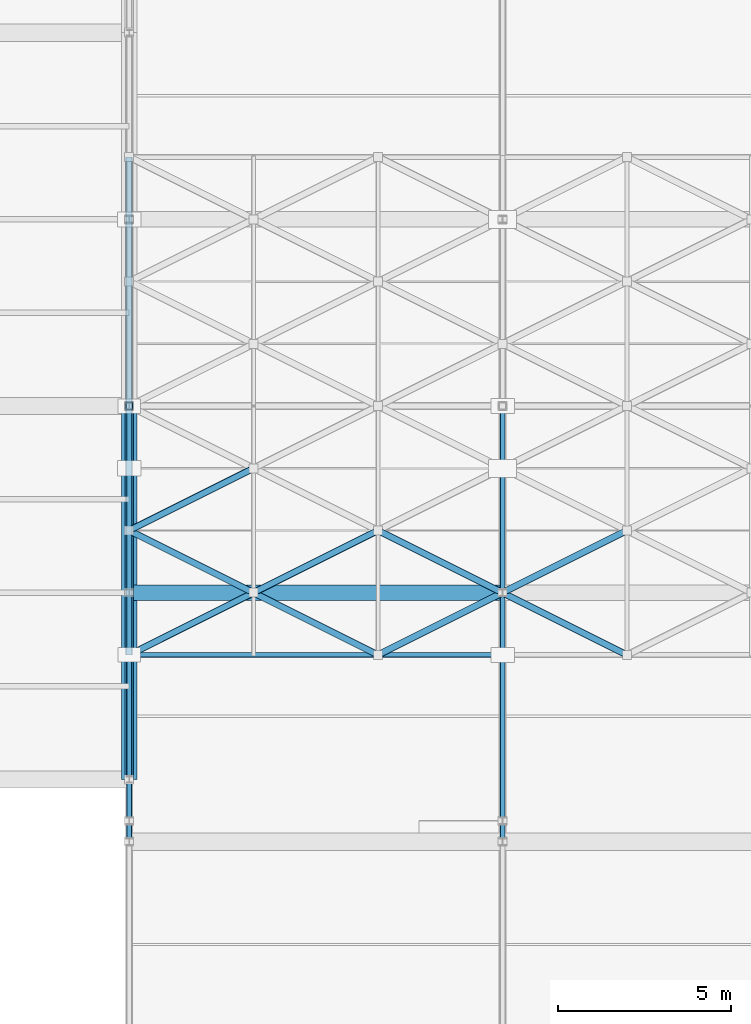
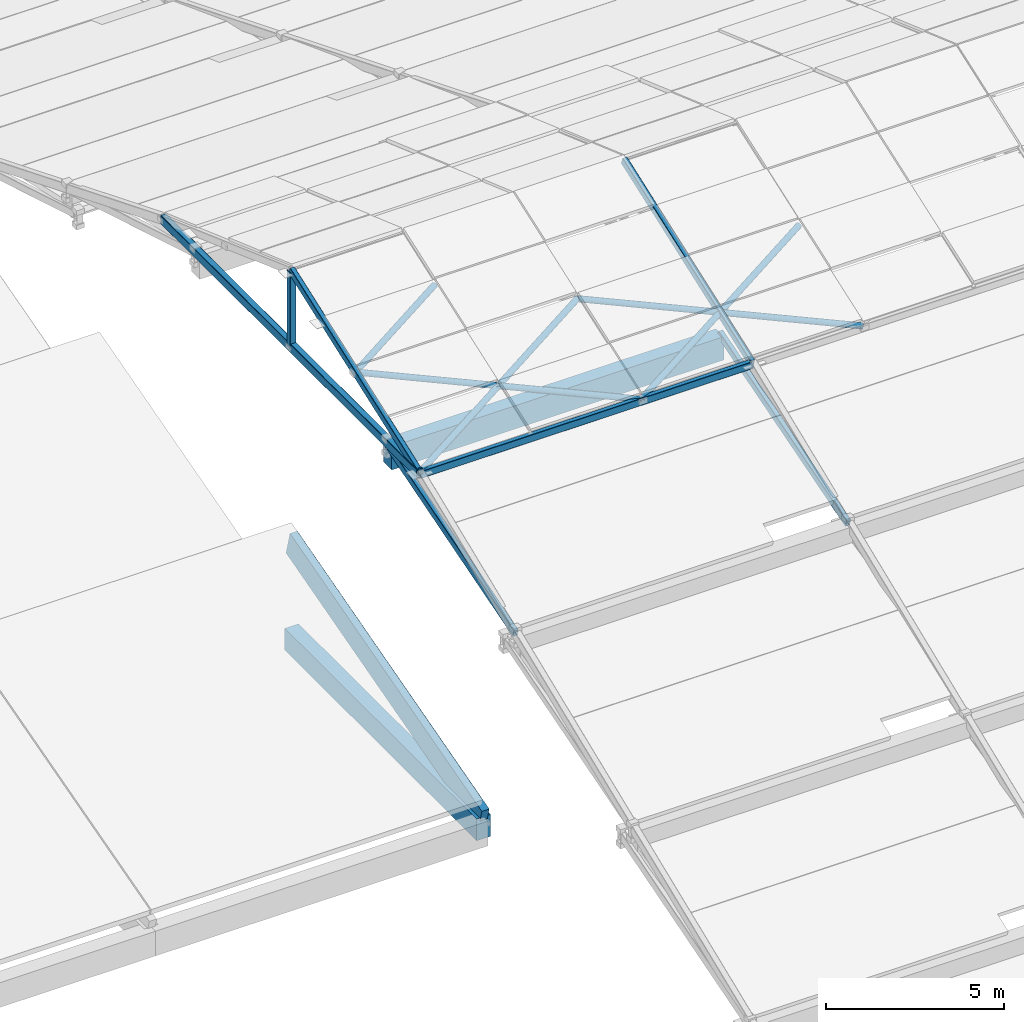
# One storey, part 39 of 112: 17 members, 2 beams.
"""IFC4 building model written with IfcOpenShell, lengths in metres."""

from ifc_helpers import new_model, si_unit, direction, frame, origin, origin_2d, place, context, subcontext, project, spatial, rectangle, hollow_rectangle, hollow_circle, extrude, material, material_profile, profile_set, type_object, element, save


model = new_model("IFC4")

# Units and contexts
model_context = context("Model", 3, precision=1e-05, world=origin(), true_north=direction((0.0, 1.0)))
body_context = subcontext(model_context, "Body", "Model", "MODEL_VIEW")
ifc_project = project(units=[si_unit("LENGTHUNIT", "METRE"), si_unit("AREAUNIT", "SQUARE_METRE"), si_unit("VOLUMEUNIT", "CUBIC_METRE"), si_unit("PLANEANGLEUNIT", "RADIAN"), si_unit("MASSUNIT", "GRAM", prefix="KILO")], contexts=[model_context])

# Site, building, storey
site_placement = place(None, origin())
site = spatial("IfcSite", under=ifc_project, at=site_placement, CompositionType="ELEMENT")
building_placement = place(site_placement, origin())
building = spatial("IfcBuilding", under=site, at=building_placement, Name="Zwinboog Wholesale Market", CompositionType="ELEMENT")
storey_placement = place(building_placement, frame((0.0, 0.0, 19.080078125)))
storey = spatial("IfcBuildingStorey", under=building, at=storey_placement, Name="Roof", CompositionType="ELEMENT", Elevation=19.080078125)

# Beams
ifc_material_1 = material(Name="Precast concrete C45/55", Category="concrete")
ifc_material_profile_1 = material_profile(ifc_material_1, rectangle(XDim=0.449951171875, YDim=0.75, at=origin_2d()), Name="PC 450x750")
ifc_profile_set_1 = profile_set([ifc_material_profile_1], Name="Precast concrete C45/55")
beam_type_1 = type_object("IfcBeamType", Name="BT-04", PredefinedType="BEAM", material=ifc_profile_set_1)
beam_1_placement = place(storey_placement, frame((64.800048828125, 64.800048828125, -9.375), z_axis=(0.0, 1.0, 0.0), x_axis=(-1.0, 0.0, 0.0)))
element("IfcBeam", 1, at=beam_1_placement, inside=storey, type_object=beam_type_1, Name="BG-04 (BMG-Roof-0648-0648-1255)", PredefinedType="BEAM", context=body_context, shape_type="SweptSolid", body=[
    extrude(rectangle(XDim=0.449951171875, YDim=0.75, at=origin_2d()), origin(), (0.0, 0.0, 1.0), 10.800048828125),
])
ifc_material_profile_2 = material_profile(ifc_material_1, rectangle(XDim=0.449951171875, YDim=0.800048828125, at=origin_2d()), Name="PC 450x800")
ifc_profile_set_2 = profile_set([ifc_material_profile_2], Name="Precast concrete C45/55")
beam_type_2 = type_object("IfcBeamType", Name="BT-07", PredefinedType="BEAM", material=ifc_profile_set_2)
beam_2_placement = place(storey_placement, frame((64.800048828125, 70.199951171875, 0.16796875), z_axis=(1.0, 0.0, 0.0), x_axis=(0.0, 1.0, 0.0)))
element("IfcBeam", 2, at=beam_2_placement, inside=storey, type_object=beam_type_2, Name="EB-02 (BMG-Roof-0648-0702-1061)", PredefinedType="BEAM", context=body_context, shape_type="SweptSolid", body=[
    extrude(rectangle(XDim=0.449951171875, YDim=0.800048828125, at=origin_2d()), origin(), (0.0, 0.0, 1.0), 10.800048828125),
])

# Members
ifc_material_2 = material(Name="Steel S355", Category="steel")
ifc_material_profile_3 = material_profile(ifc_material_2, hollow_rectangle(XDim=0.199951171875, YDim=0.300048828125, WallThickness=0.012451171875, InnerFilletRadius=0.012451171875, OuterFilletRadius=0.02490234375, at=origin_2d()), Name="RHS 300x200x12.5")
ifc_profile_set_3 = profile_set([ifc_material_profile_3], Name="Steel S355")
member_type_1 = type_object("IfcMemberType", Name="MT-01", PredefinedType="CHORD", material=ifc_profile_set_3)
member_1_placement = place(storey_placement, frame((64.800048828125, 68.39990234375, 0.619873046875), z_axis=(0.0, 1.0, 0.0), x_axis=(-1.0, 0.0, 0.0)))
element("IfcMember", 3, at=member_1_placement, inside=storey, type_object=member_type_1, Name="DC-01 (MEM-Roof-0027)", PredefinedType="CHORD", context=body_context, shape_type="SweptSolid", body=[
    extrude(hollow_rectangle(XDim=0.199951171875, YDim=0.300048828125, WallThickness=0.012451171875, InnerFilletRadius=0.012451171875, OuterFilletRadius=0.02490234375, at=origin_2d()), origin(), (0.0, 0.0, 1.0), 14.400146484375),
])
ifc_material_profile_4 = material_profile(ifc_material_2, hollow_rectangle(XDim=0.14990234375, YDim=0.25, WallThickness=0.010009765625, InnerFilletRadius=0.010009765625, OuterFilletRadius=0.02001953125, at=origin_2d()), Name="RHS 250x150x10")
ifc_profile_set_4 = profile_set([ifc_material_profile_4], Name="Steel S355")
member_type_2 = type_object("IfcMemberType", Name="MT-02", PredefinedType="CHORD", material=ifc_profile_set_4)
member_2_placement = place(storey_placement, frame((64.800048828125, 63.0, -1.60009765625), z_axis=(0.0, 0.958194819429, 0.286116563694), x_axis=(-1.0, 0.0, 0.0)))
element("IfcMember", 4, at=member_2_placement, inside=storey, type_object=member_type_2, Name="DC-02 (MEM-Roof-0013)", PredefinedType="CHORD", context=body_context, shape_type="SweptSolid", body=[
    extrude(hollow_rectangle(XDim=0.14990234375, YDim=0.25, WallThickness=0.010009765625, InnerFilletRadius=0.010009765625, OuterFilletRadius=0.02001953125, at=origin_2d()), origin(), (0.0, 0.0, 1.0), 7.51416015625),
])
member_3_placement = place(storey_placement, frame((64.800048828125, 68.39990234375, 0.619873046875), z_axis=(0.0, 0.940552767691, 0.339647598532), x_axis=(-1.0, 0.0, 0.0)))
element("IfcMember", 5, at=member_3_placement, inside=storey, type_object=member_type_2, Name="DC-02 (MEM-Roof-0029)", PredefinedType="CHORD", context=body_context, shape_type="SweptSolid", body=[
    extrude(hollow_rectangle(XDim=0.14990234375, YDim=0.25, WallThickness=0.010009765625, InnerFilletRadius=0.010009765625, OuterFilletRadius=0.02001953125, at=origin_2d()), origin(), (0.0, 0.0, 1.0), 7.6552734375),
])
member_4_placement = place(storey_placement, frame((75.60009765625, 63.0, -1.60009765625), z_axis=(0.0, 0.958194819429, 0.286116563694), x_axis=(-1.0, 0.0, 0.0)))
element("IfcMember", 6, at=member_4_placement, inside=storey, type_object=member_type_2, Name="DC-02 (MEM-Roof-0043)", PredefinedType="CHORD", context=body_context, shape_type="SweptSolid", body=[
    extrude(hollow_rectangle(XDim=0.14990234375, YDim=0.25, WallThickness=0.010009765625, InnerFilletRadius=0.010009765625, OuterFilletRadius=0.02001953125, at=origin_2d()), origin(), (0.0, 0.0, 1.0), 7.51416015625),
])
member_5_placement = place(storey_placement, frame((75.60009765625, 68.39990234375, 0.619873046875), z_axis=(0.0, 0.940552767691, 0.339647598532), x_axis=(-1.0, 0.0, 0.0)))
element("IfcMember", 7, at=member_5_placement, inside=storey, type_object=member_type_2, Name="DC-02 (MEM-Roof-0059)", PredefinedType="CHORD", context=body_context, shape_type="SweptSolid", body=[
    extrude(hollow_rectangle(XDim=0.14990234375, YDim=0.25, WallThickness=0.010009765625, InnerFilletRadius=0.010009765625, OuterFilletRadius=0.02001953125, at=origin_2d()), origin(), (0.0, 0.0, 1.0), 7.6552734375),
])
member_6_placement = place(storey_placement, frame((64.800048828125, 68.39990234375, 0.58984375), z_axis=(1.0, 0.0, 0.0), x_axis=(0.0, 1.0, 0.0)))
element("IfcMember", 8, at=member_6_placement, inside=storey, type_object=member_type_2, Name="DC-02 (MEM-Roof-0332)", PredefinedType="CHORD", context=body_context, shape_type="SweptSolid", body=[
    extrude(hollow_rectangle(XDim=0.14990234375, YDim=0.25, WallThickness=0.010009765625, InnerFilletRadius=0.010009765625, OuterFilletRadius=0.02001953125, at=origin_2d()), origin(), (0.0, 0.0, 1.0), 10.800048828125),
])
ifc_material_profile_5 = material_profile(ifc_material_2, hollow_rectangle(XDim=0.199951171875, YDim=0.199951171875, WallThickness=0.010009765625, InnerFilletRadius=0.010009765625, OuterFilletRadius=0.02001953125, at=origin_2d()), Name="SHS 200x200x10")
ifc_profile_set_5 = profile_set([ifc_material_profile_5], Name="Steel S355")
member_type_3 = type_object("IfcMemberType", Name="MT-04", PredefinedType="BRACE", material=ifc_profile_set_5)
member_7_placement = place(storey_placement, frame((64.800048828125, 75.60009765625, 0.619873046875), z_axis=(0.0, 0.0, 1.0), x_axis=(1.0, 0.0, 0.0)))
element("IfcMember", 9, at=member_7_placement, inside=storey, type_object=member_type_3, Name="DB-01 (MEM-Roof-0028)", PredefinedType="BRACE", context=body_context, shape_type="SweptSolid", body=[
    extrude(hollow_rectangle(XDim=0.199951171875, YDim=0.199951171875, WallThickness=0.010009765625, InnerFilletRadius=0.010009765625, OuterFilletRadius=0.02001953125, at=origin_2d()), origin(), (0.0, 0.0, 1.0), 2.60009765625),
])
ifc_material_profile_6 = material_profile(ifc_material_2, hollow_circle(Radius=0.096923828125, WallThickness=0.010009765625, at=origin_2d()), Name="CHS 193.7x10")
ifc_profile_set_6 = profile_set([ifc_material_profile_6], Name="Steel S355")
member_type_4 = type_object("IfcMemberType", Name="MT-06", PredefinedType="BRACE", material=ifc_profile_set_6)
for number, where, z_axis, x_axis, name in (
    (10, (64.800048828125, 68.39990234375, 0.6298828125), (0.883403888637, 0.441731900368, 0.15643048852), (-0.447237858884, 0.894415058897, 0.0), "DB-03 (MEM-Roof-0363)"),
    (11, (64.800048828125, 72.0, 1.905029296875), (0.883395607837, -0.441727759687, -0.156488933718), (0.447237858884, 0.894415058897, 0.0), "DB-03 (MEM-Roof-0364)"),
    (12, (64.800048828125, 72.0, 1.905029296875), (0.883403888637, 0.441731900368, 0.15643048852), (-0.447237858884, 0.894415058897, 0.0), "DB-03 (MEM-Roof-0365)"),
):
    element("IfcMember", number, at=place(storey_placement, frame(where, z_axis=z_axis, x_axis=x_axis)), inside=storey, type_object=member_type_4, Name=name, PredefinedType="BRACE", context=body_context, shape_type="SweptSolid", body=[
        extrude(hollow_circle(Radius=0.096923828125, WallThickness=0.010009765625, at=origin_2d()), origin(), (0.0, 0.0, 1.0), 4.074951171875),
    ])
for number, where, z_axis, x_axis, name in (
    (13, (68.39990234375, 70.199951171875, 1.267333984375), (0.883417044144, -0.441708522072, -0.156422209566), (0.4472135955, 0.894427191, 0.0), "DB-03 (MEM-Roof-0373)"),
    (14, (68.39990234375, 70.199951171875, 1.267333984375), (0.883408764097, 0.441704382048, 0.156480651826), (-0.4472135955, 0.894427191, 0.0), "DB-03 (MEM-Roof-0374)"),
    (15, (72.0, 68.39990234375, 0.6298828125), (0.883417044144, 0.441708522072, 0.156422209566), (-0.4472135955, 0.894427191, 0.0), "DB-03 (MEM-Roof-0383)"),
    (16, (72.0, 72.0, 1.905029296875), (0.883408764097, -0.441704382048, -0.156480651826), (0.4472135955, 0.894427191, 0.0), "DB-03 (MEM-Roof-0384)"),
):
    element("IfcMember", number, at=place(storey_placement, frame(where, z_axis=z_axis, x_axis=x_axis)), inside=storey, type_object=member_type_4, Name=name, PredefinedType="BRACE", context=body_context, shape_type="SweptSolid", body=[
        extrude(hollow_circle(Radius=0.096923828125, WallThickness=0.010009765625, at=origin_2d()), origin(), (0.0, 0.0, 1.0), 4.0751953125),
    ])
for number, where, z_axis, x_axis, name in (
    (17, (75.60009765625, 70.199951171875, 1.267333984375), (0.883403888637, -0.441731900368, -0.15643048852), (0.447237858884, 0.894415058897, 0.0), "DB-03 (MEM-Roof-0393)"),
    (18, (75.60009765625, 70.199951171875, 1.267333984375), (0.883395607837, 0.441727759687, 0.156488933718), (-0.447237858884, 0.894415058897, 0.0), "DB-03 (MEM-Roof-0394)"),
):
    element("IfcMember", number, at=place(storey_placement, frame(where, z_axis=z_axis, x_axis=x_axis)), inside=storey, type_object=member_type_4, Name=name, PredefinedType="BRACE", context=body_context, shape_type="SweptSolid", body=[
        extrude(hollow_circle(Radius=0.096923828125, WallThickness=0.010009765625, at=origin_2d()), origin(), (0.0, 0.0, 1.0), 4.074951171875),
    ])
ifc_material_3 = material(Name="Glulam GL28h", Category="wood")
ifc_material_profile_7 = material_profile(ifc_material_3, rectangle(XDim=0.239990234375, YDim=0.840087890625, at=origin_2d()), Name="GL28h 240x840")
ifc_profile_set_7 = profile_set([ifc_material_profile_7], Name="Glulam GL28h")
member_type_5 = type_object("IfcMemberType", Name="MT-09", PredefinedType="RAFTER", material=ifc_profile_set_7)
member_8_placement = place(storey_placement, frame((64.800048828125, 64.800048828125, -9.11328125), z_axis=(0.0, 0.963518221675, 0.26764274042), x_axis=(-1.0, 0.0, 0.0)))
element("IfcMember", 19, at=member_8_placement, inside=storey, type_object=member_type_5, Name="GR-01 (MEM-Roof-0854)", PredefinedType="RAFTER", context=body_context, shape_type="SweptSolid", body=[
    extrude(rectangle(XDim=0.239990234375, YDim=0.840087890625, at=origin_2d()), origin(), (0.0, 0.0, 1.0), 11.208984375),
])

save(model, "model.ifc")
